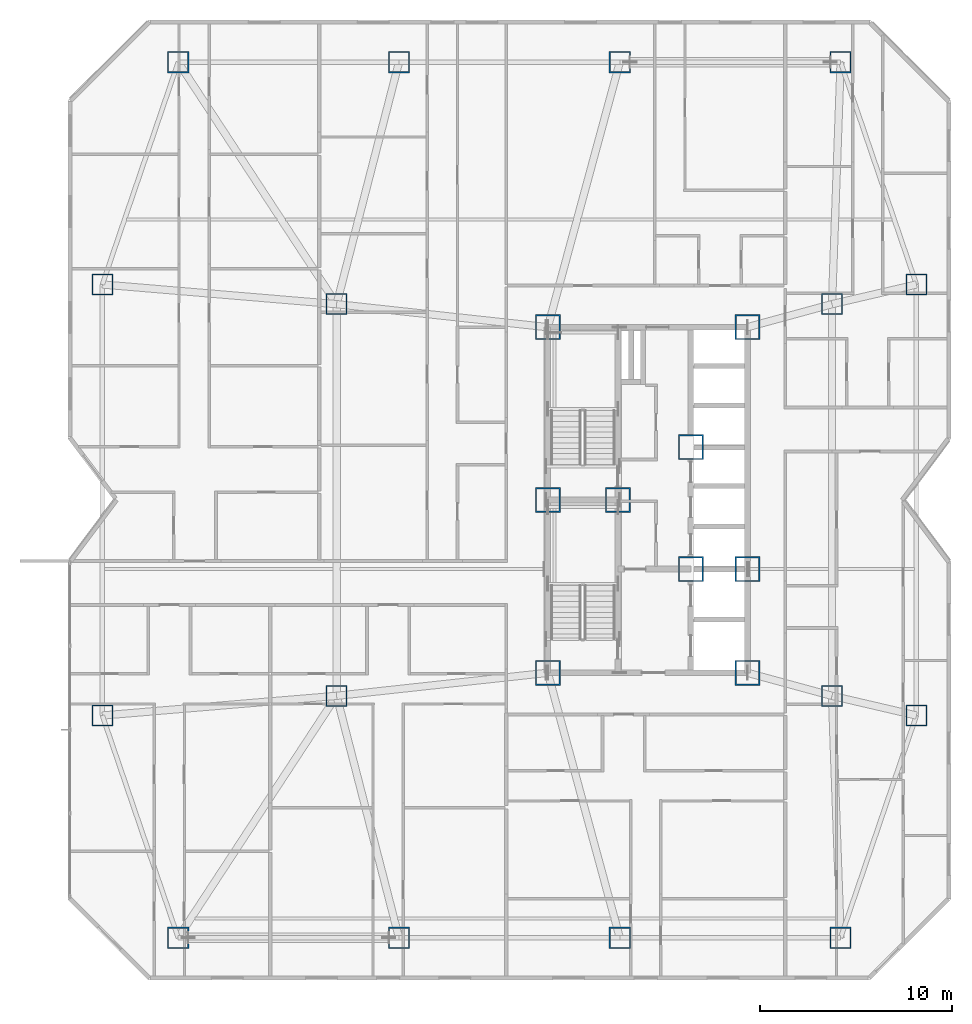
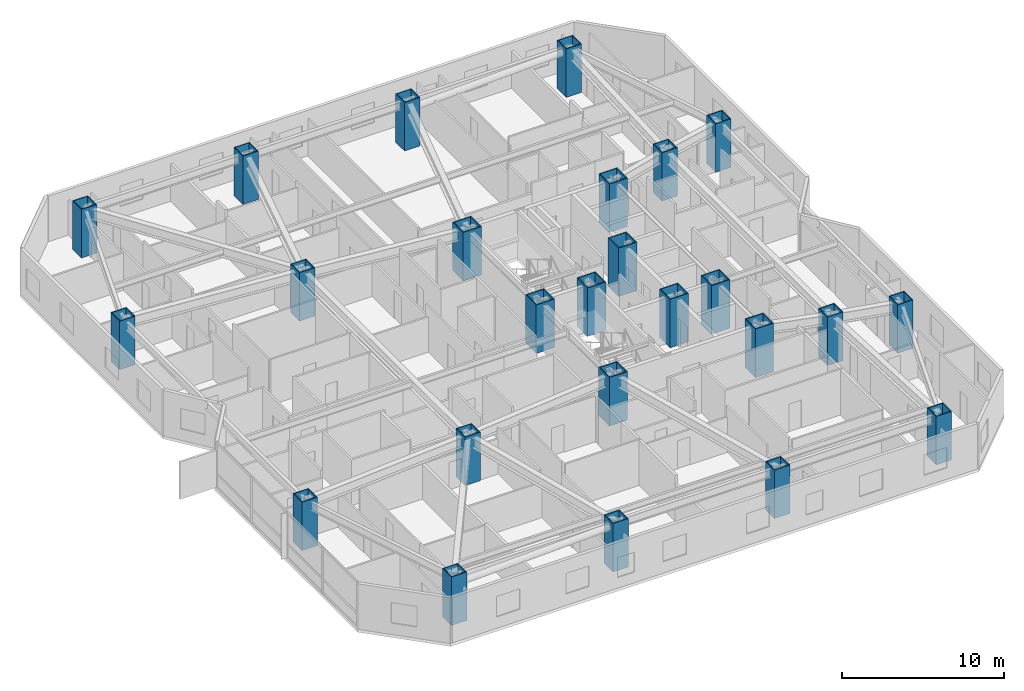
# One storey, part 1 of 19: 25 columns.
"""IFC4 building model written with IfcOpenShell, lengths in metres."""

from ifc_helpers import new_model, si_unit, direction, frame, origin, origin_2d, place, context, subcontext, project, spatial, hollow_rectangle, extrude, material, material_profile, profile_set, type_object, element, save


model = new_model("IFC4")

# Units and contexts
model_context = context("Model", 3, precision=1e-05, world=origin(), true_north=direction((0.0, 1.0)))
body_context = subcontext(model_context, "Body", "Model", "MODEL_VIEW")
ifc_project = project(units=[si_unit("LENGTHUNIT", "METRE"), si_unit("AREAUNIT", "SQUARE_METRE"), si_unit("VOLUMEUNIT", "CUBIC_METRE"), si_unit("PLANEANGLEUNIT", "RADIAN"), si_unit("MASSUNIT", "GRAM", prefix="KILO")], contexts=[model_context])

# Site, building, storey
site_placement = place(None, origin())
site = spatial("IfcSite", under=ifc_project, at=site_placement, CompositionType="ELEMENT")
building_placement = place(site_placement, origin())
building = spatial("IfcBuilding", under=site, at=building_placement, Name="Khamvora Tower", CompositionType="ELEMENT")
storey_placement = place(building_placement, frame((0.0, 0.0, 58.85009765625)))
storey = spatial("IfcBuildingStorey", under=building, at=storey_placement, Name="L14", CompositionType="ELEMENT", Elevation=58.85009765625)

# Columns
ifc_material = material(Name="Steel S460", Category="steel")
ifc_material_profile_1 = material_profile(ifc_material, hollow_rectangle(XDim=1.10009765625, YDim=1.10009765625, WallThickness=0.054931640625, at=origin_2d()), Name="BOX1100x1100x55")
ifc_profile_set_1 = profile_set([ifc_material_profile_1], Name="Steel S460")
column_type_1 = type_object("IfcColumnType", Name="COL-BOX1100", PredefinedType="COLUMN", material=ifc_profile_set_1)
for number, where, z_axis, x_axis, name in (
    (1, (9.75, 5.199951171875, 0.0), (0.0, 0.0, 1.0), (1.0, 0.0, 0.0), "L14 structural frame column S1"),
    (2, (21.25, 5.199951171875, 0.0), (0.0, 0.0, 1.0), (1.0, 0.0, 0.0), "L14 structural frame column S2"),
    (3, (32.75, 5.199951171875, 0.0), (0.0, 0.0, 1.0), (1.0, 0.0, 0.0), "L14 structural frame column S3"),
    (4, (44.25, 5.199951171875, 0.0), (0.0, 0.0, 1.0), (1.0, 0.0, 0.0), "L14 structural frame column S4"),
    (5, (9.75, 50.800048828125, 0.0), (0.0, 0.0, 1.0), (1.0, 0.0, 0.0), "L14 structural frame column N1"),
    (6, (21.25, 50.800048828125, 0.0), (0.0, 0.0, 1.0), (1.0, 0.0, 0.0), "L14 structural frame column N2"),
    (7, (32.75, 50.800048828125, 0.0), (0.0, 0.0, 1.0), (1.0, 0.0, 0.0), "L14 structural frame column N3"),
    (8, (44.25, 50.800048828125, 0.0), (0.0, 0.0, 1.0), (1.0, 0.0, 0.0), "L14 structural frame column N4"),
    (9, (5.800048828125, 16.77490234375, 0.0), (0.0, 0.0, 1.0), (1.0, 0.0, 0.0), "L14 structural frame column W1"),
    (10, (5.800048828125, 39.22509765625, 0.0), (0.0, 0.0, 1.0), (1.0, 0.0, 0.0), "L14 structural frame column W2"),
    (11, (48.199951171875, 16.77490234375, 0.0), (0.0, 0.0, 1.0), (1.0, 0.0, 0.0), "L14 structural frame column E1"),
    (12, (48.199951171875, 39.22509765625, 0.0), (0.0, 0.0, 1.0), (1.0, 0.0, 0.0), "L14 structural frame column E2"),
    (13, (18.0, 17.800048828125, 0.0), (0.0, 0.0, 1.0), (1.0, 0.0, 0.0), "L14 structural frame column MW1"),
    (14, (18.0, 38.199951171875, 0.0), (0.0, 0.0, 1.0), (1.0, 0.0, 0.0), "L14 structural frame column MW2"),
    (15, (43.800048828125, 17.800048828125, 0.0), (0.0, 0.0, 1.0), (1.0, 0.0, 0.0), "L14 structural frame column M1"),
    (16, (43.800048828125, 38.199951171875, 0.0), (0.0, 0.0, 1.0), (1.0, 0.0, 0.0), "L14 structural frame column M2"),
):
    element("IfcColumn", number, at=place(storey_placement, frame(where, z_axis=z_axis, x_axis=x_axis)), inside=storey, type_object=column_type_1, Name=name, PredefinedType="COLUMN", context=body_context, shape_type="SweptSolid", body=[
        extrude(hollow_rectangle(XDim=1.10009765625, YDim=1.10009765625, WallThickness=0.054931640625, at=origin_2d()), origin(), (0.0, 0.0, 1.0), 3.64990234375),
    ])
ifc_material_profile_2 = material_profile(ifc_material, hollow_rectangle(XDim=1.300048828125, YDim=1.300048828125, WallThickness=0.06494140625, at=origin_2d()), Name="BOX1300x1300x65")
ifc_profile_set_2 = profile_set([ifc_material_profile_2], Name="Steel S460")
column_type_2 = type_object("IfcColumnType", Name="COL-BOX1300", PredefinedType="COLUMN", material=ifc_profile_set_2)
for number, where, z_axis, x_axis, name in (
    (17, (29.0, 19.0, 0.0), (0.0, 0.0, 1.0), (1.0, 0.0, 0.0), "L14 plumb core spine column SC1"),
    (18, (32.64990234375, 28.0, 0.0), (0.0, 0.0, 1.0), (1.0, 0.0, 0.0), "L14 plumb core spine column SC2"),
    (19, (39.39990234375, 19.0, 0.0), (0.0, 0.0, 1.0), (1.0, 0.0, 0.0), "L14 plumb core spine column SC3"),
    (20, (29.0, 28.0, 0.0), (0.0, 0.0, 1.0), (1.0, 0.0, 0.0), "L14 plumb core spine column SC4"),
    (21, (36.449951171875, 24.39990234375, 0.0), (0.0, 0.0, 1.0), (1.0, 0.0, 0.0), "L14 plumb core spine column SC5"),
    (22, (39.39990234375, 24.39990234375, 0.0), (0.0, 0.0, 1.0), (1.0, 0.0, 0.0), "L14 plumb core spine column SC6"),
    (23, (29.0, 37.0, 0.0), (0.0, 0.0, 1.0), (1.0, 0.0, 0.0), "L14 plumb core spine column SC7"),
    (24, (36.449951171875, 30.75, 0.0), (0.0, 0.0, 1.0), (1.0, 0.0, 0.0), "L14 plumb core spine column SC8"),
    (25, (39.39990234375, 37.0, 0.0), (0.0, 0.0, 1.0), (1.0, 0.0, 0.0), "L14 plumb core spine column SC9"),
):
    element("IfcColumn", number, at=place(storey_placement, frame(where, z_axis=z_axis, x_axis=x_axis)), inside=storey, type_object=column_type_2, Name=name, PredefinedType="COLUMN", context=body_context, shape_type="SweptSolid", body=[
        extrude(hollow_rectangle(XDim=1.300048828125, YDim=1.300048828125, WallThickness=0.06494140625, at=origin_2d()), origin(), (0.0, 0.0, 1.0), 3.64990234375),
    ])

save(model, "model.ifc")
